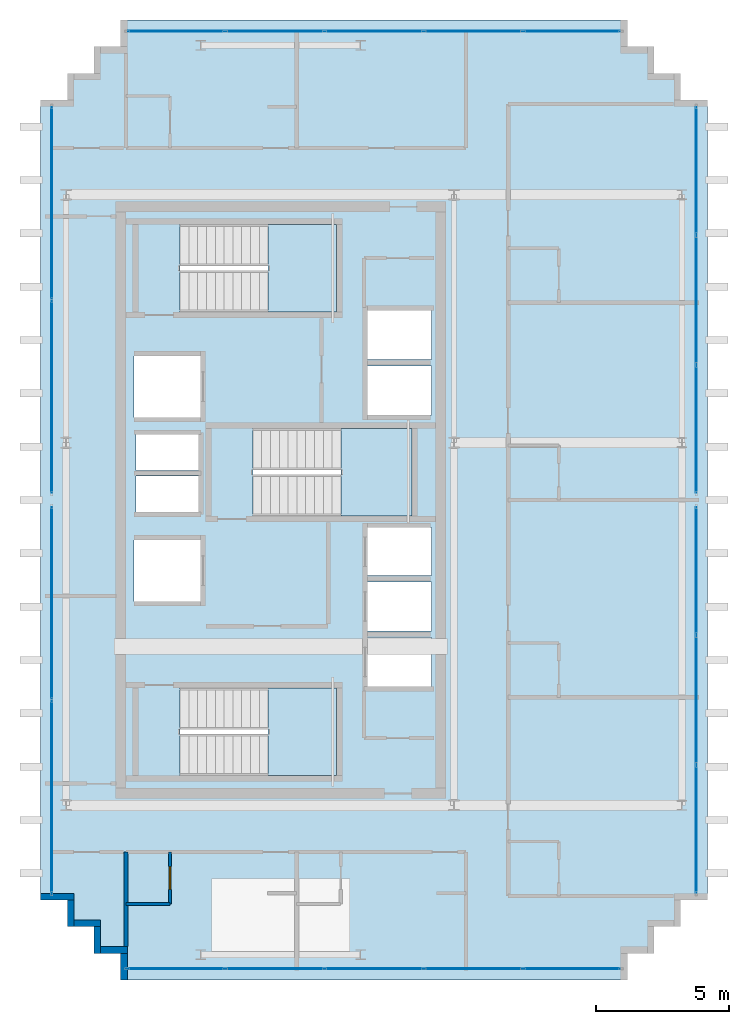
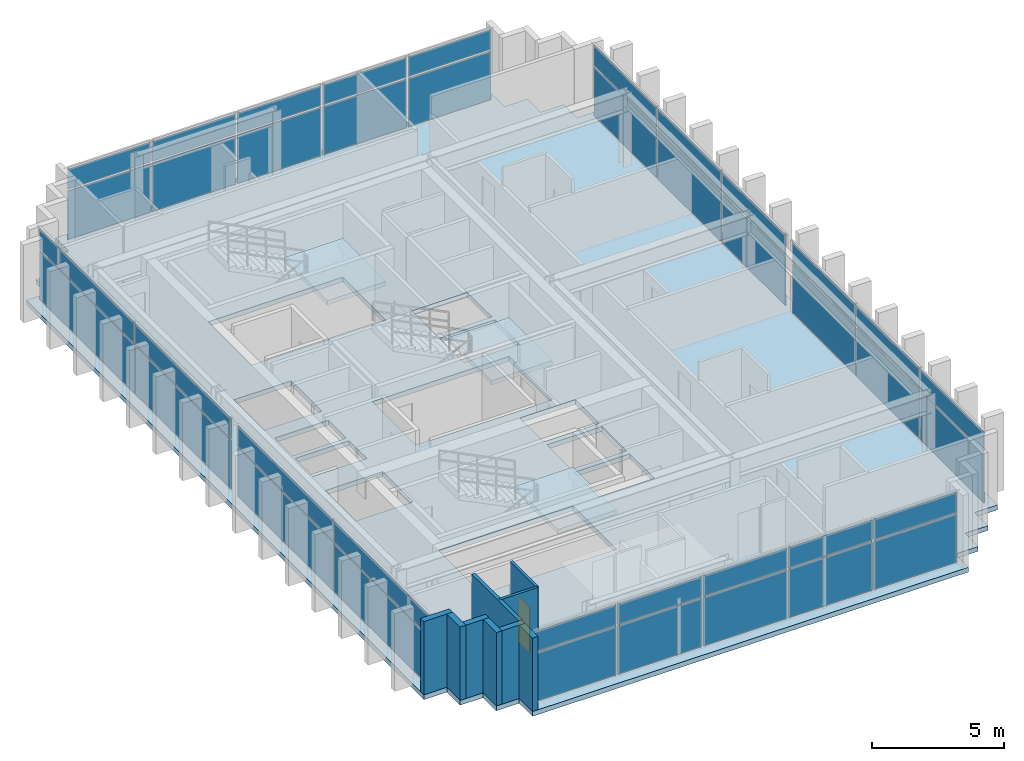
# One storey, part 11 of 15: 40 plates, 9 walls, 4 slabs, 1 door, 1 opening, 9 elements without a shape of their own.
"""IFC4 building model written with IfcOpenShell, lengths in metres."""

from ifc_helpers import new_model, si_unit, direction, frame, frame_2d, origin, origin_2d, place, context, subcontext, project, spatial, polyline, rectangle, outline, extrude, source, transform, mapped, material, layer, layer_set, type_object, element, fill, aggregate, save


model = new_model("IFC4")

# Units and contexts
model_context = context("Model", 3, precision=1e-05, world=origin(), true_north=direction((0.0, 1.0)))
body_context = subcontext(model_context, "Body", "Model", "MODEL_VIEW")
ifc_project = project(units=[si_unit("LENGTHUNIT", "METRE"), si_unit("AREAUNIT", "SQUARE_METRE"), si_unit("VOLUMEUNIT", "CUBIC_METRE"), si_unit("PLANEANGLEUNIT", "RADIAN"), si_unit("MASSUNIT", "GRAM", prefix="KILO")], contexts=[model_context])

# Site, building, storey
site_placement = place(None, origin())
site = spatial("IfcSite", under=ifc_project, at=site_placement, CompositionType="ELEMENT")
building_placement = place(site_placement, origin())
building = spatial("IfcBuilding", under=site, at=building_placement, Name="Ocotamira Hotel", CompositionType="ELEMENT")
storey_placement = place(building_placement, frame((0.0, 0.0, 290.39990234375)))
storey = spatial("IfcBuildingStorey", under=building, at=storey_placement, Name="L74", CompositionType="ELEMENT", Elevation=290.39990234375)

# Stair, slab
ifc_material_1 = material(Name="Concrete C40/50", Category="concrete")
stair_type = type_object("IfcStairType", Name="ST-CORE-1560", PredefinedType="HALF_TURN_STAIR", material=ifc_material_1)
stair_1_placement = place(storey_placement, origin())
stair_1 = element("IfcStair", 1, at=stair_1_placement, inside=storey, type_object=stair_type, Name="L74 Exit Stair ST-1", PredefinedType="HALF_TURN_STAIR")
ifc_layer_1 = layer(ifc_material_1, 0.199951171875)
ifc_layer_set_1 = layer_set([ifc_layer_1], Name="Concrete C40/50")
slab_type_1 = type_object("IfcSlabType", Name="SLB-LAND-200", PredefinedType="LANDING", material=ifc_layer_set_1)
slab_1_placement = place(storey_placement, frame((0.0, 0.0, 1.60009765625)))
slab_1 = element("IfcSlab", 2, at=slab_1_placement, type_object=slab_type_1, Name="ST-1 landing 1", PredefinedType="LANDING", context=body_context, shape_type="SweptSolid", body=[
    extrude(outline(polyline([(16.530029296875, 15.669921875), (19.090087890625, 15.669921875), (19.090087890625, 18.949951171875), (16.530029296875, 18.949951171875), (16.530029296875, 15.669921875)])), origin(), (0.0, 0.0, 1.0), 0.199951171875),
])
aggregate(stair_1, [slab_1])

stair_2_placement = place(storey_placement, origin())
stair_2 = element("IfcStair", 3, at=stair_2_placement, inside=storey, type_object=stair_type, Name="L74 Exit Stair ST-2", PredefinedType="HALF_TURN_STAIR")
slab_2_placement = place(storey_placement, frame((0.0, 0.0, 1.60009765625)))
slab_2 = element("IfcSlab", 4, at=slab_2_placement, type_object=slab_type_1, Name="ST-2 landing 1", PredefinedType="LANDING", context=body_context, shape_type="SweptSolid", body=[
    extrude(outline(polyline([(16.530029296875, 33.050048828125), (19.090087890625, 33.050048828125), (19.090087890625, 36.330078125), (16.530029296875, 36.330078125), (16.530029296875, 33.050048828125)])), origin(), (0.0, 0.0, 1.0), 0.199951171875),
])
aggregate(stair_2, [slab_2])

stair_3_placement = place(storey_placement, origin())
stair_3 = element("IfcStair", 5, at=stair_3_placement, inside=storey, type_object=stair_type, Name="L74 Exit Stair ST-3", PredefinedType="HALF_TURN_STAIR")
slab_3_placement = place(storey_placement, frame((0.0, 0.0, 1.60009765625)))
slab_3 = element("IfcSlab", 6, at=slab_3_placement, type_object=slab_type_1, Name="ST-3 landing 1", PredefinedType="LANDING", context=body_context, shape_type="SweptSolid", body=[
    extrude(outline(polyline([(19.260009765625, 25.39990234375), (21.919921875, 25.39990234375), (21.919921875, 28.679931640625), (19.260009765625, 28.679931640625), (19.260009765625, 25.39990234375)])), origin(), (0.0, 0.0, 1.0), 0.199951171875),
])
aggregate(stair_3, [slab_3])

# Slab
ifc_layer_2 = layer(ifc_material_1, 0.219970703125)
ifc_layer_set_2 = layer_set([ifc_layer_2], Name="Concrete C40/50")
slab_type_2 = type_object("IfcSlabType", Name="SLB-UPP-220", PredefinedType="FLOOR", material=ifc_layer_set_2)
slab_4_placement = place(storey_placement, frame((0.0, 0.0, -0.219970703125)))
element("IfcSlab", 7, at=slab_4_placement, inside=storey, type_object=slab_type_2, Name="L74 Structural Floor Slab", PredefinedType="FLOOR", context=body_context, shape_type="SweptSolid", body=[
    extrude(outline(polyline([(11.0, 8.0), (30.0, 8.0), (30.0, 9.0), (31.0, 9.0), (31.0, 10.0), (32.0, 10.0), (32.0, 11.0), (33.0, 11.0), (33.0, 41.0), (32.0, 41.0), (32.0, 42.0), (31.0, 42.0), (31.0, 43.0), (30.0, 43.0), (30.0, 44.0), (11.0, 44.0), (11.0, 43.0), (10.0, 43.0), (10.0, 42.0), (9.0, 42.0), (9.0, 41.0), (8.0, 41.0), (8.0, 11.0), (9.0, 11.0), (9.0, 10.0), (10.0, 10.0), (10.0, 9.0), (11.0, 9.0), (11.0, 8.0)]), holes=[polyline([(13.22998046875, 15.669921875), (19.090087890625, 15.669921875), (19.090087890625, 18.949951171875), (13.22998046875, 18.949951171875), (13.22998046875, 15.669921875)]), polyline([(13.22998046875, 33.050048828125), (19.090087890625, 33.050048828125), (19.090087890625, 36.330078125), (13.22998046875, 36.330078125), (13.22998046875, 33.050048828125)]), polyline([(15.9599609375, 25.39990234375), (21.919921875, 25.39990234375), (21.919921875, 28.679931640625), (15.9599609375, 28.679931640625), (15.9599609375, 25.39990234375)]), polyline([(20.25, 19.0), (22.659912109375, 19.0), (22.659912109375, 20.85009765625), (20.25, 20.85009765625), (20.25, 19.0)]), polyline([(20.25, 21.080078125), (22.659912109375, 21.080078125), (22.659912109375, 22.929931640625), (20.25, 22.929931640625), (20.25, 21.080078125)]), polyline([(20.25, 23.159912109375), (22.659912109375, 23.159912109375), (22.659912109375, 24.9599609375), (20.25, 24.9599609375), (20.25, 23.159912109375)]), polyline([(20.25, 29.179931640625), (22.659912109375, 29.179931640625), (22.659912109375, 31.030029296875), (20.25, 31.030029296875), (20.25, 29.179931640625)]), polyline([(20.25, 31.260009765625), (22.659912109375, 31.260009765625), (22.659912109375, 33.110107421875), (20.25, 33.110107421875), (20.25, 31.260009765625)]), polyline([(11.5, 22.199951171875), (14.0, 22.199951171875), (14.0, 24.5), (11.5, 24.5), (11.5, 22.199951171875)]), polyline([(11.5, 29.10009765625), (14.0, 29.10009765625), (14.0, 31.39990234375), (11.5, 31.39990234375), (11.5, 29.10009765625)]), polyline([(11.580078125, 25.550048828125), (13.919921875, 25.550048828125), (13.919921875, 26.89990234375), (11.580078125, 26.89990234375), (11.580078125, 25.550048828125)]), polyline([(11.580078125, 27.10009765625), (13.919921875, 27.10009765625), (13.919921875, 28.449951171875), (11.580078125, 28.449951171875), (11.580078125, 27.10009765625)])]), origin(), (0.0, 0.0, 1.0), 0.219970703125),
])

# Curtain wall, plates
ifc_material_2 = material(Name="Anodised pale-metal aluminium and solar glass", Category="aluminium")
ifc_layer_3 = layer(ifc_material_2, 0.2099609375)
ifc_layer_set_3 = layer_set([ifc_layer_3], Name="Anodised pale-metal aluminium and solar glass")
curtain_wall_type = type_object("IfcCurtainWallType", Name="CW-SYS7-PEAK", PredefinedType="NOTDEFINED", material=ifc_layer_set_3)
curtain_wall_1_placement = place(storey_placement, origin())
curtain_wall_1 = element("IfcCurtainWall", 8, at=curtain_wall_1_placement, inside=storey, type_object=curtain_wall_type, Name="L74 Curtain Wall CW-7 CW-L74-W1", PredefinedType="NOTDEFINED")
ifc_material_3 = material(Name="Double-silver low-E insulated solar glass", Category="glass")
ifc_layer_4 = layer(ifc_material_3, 0.031982421875)
ifc_layer_set_4 = layer_set([ifc_layer_4], Name="Double-silver low-E insulated solar glass")
plate_type = type_object("IfcPlateType", Name="CWP-VISION-32", PredefinedType="CURTAIN_PANEL", material=ifc_layer_set_4)
shared_shape_1 = source(origin(), body_context, "Body", "SweptSolid", [
    extrude(rectangle(XDim=7.179931640625, YDim=0.031982421875, at=origin_2d()), origin(), (0.0, 0.0, 1.0), 2.237548828125),
])
plate_1_placement = place(storey_placement, frame((8.419921875, 14.8701171875, 0.0751953125), z_axis=(0.0, 0.0, 1.0), x_axis=(0.0, 1.0, 0.0)))
plate_1 = element("IfcPlate", 9, at=plate_1_placement, type_object=plate_type, Name="CW-7 panel 1.1", PredefinedType="CURTAIN_PANEL", context=body_context, shape_type="MappedRepresentation", body=[
    mapped(shared_shape_1, transform((0.0, 0.0, 0.0), scale=1.0)),
])
plate_2_placement = place(storey_placement, frame((8.419921875, 22.1298828125, 0.0751953125), z_axis=(0.0, 0.0, 1.0), x_axis=(0.0, 1.0, 0.0)))
plate_2 = element("IfcPlate", 10, at=plate_2_placement, type_object=plate_type, Name="CW-7 panel 2.1", PredefinedType="CURTAIN_PANEL", context=body_context, shape_type="MappedRepresentation", body=[
    mapped(shared_shape_1, transform((0.0, 0.0, 0.0), scale=1.0)),
])

curtain_wall_2_placement = place(storey_placement, origin())
curtain_wall_2 = element("IfcCurtainWall", 11, at=curtain_wall_2_placement, inside=storey, type_object=curtain_wall_type, Name="L74 Curtain Wall CW-7 CW-L74-W2", PredefinedType="NOTDEFINED")
plate_3_placement = place(storey_placement, frame((8.419921875, 29.8701171875, 0.0751953125), z_axis=(0.0, 0.0, 1.0), x_axis=(0.0, 1.0, 0.0)))
plate_3 = element("IfcPlate", 12, at=plate_3_placement, type_object=plate_type, Name="CW-7 panel 1.1", PredefinedType="CURTAIN_PANEL", context=body_context, shape_type="MappedRepresentation", body=[
    mapped(shared_shape_1, transform((0.0, 0.0, 0.0), scale=1.0)),
])
plate_4_placement = place(storey_placement, frame((8.419921875, 37.1298828125, 0.0751953125), z_axis=(0.0, 0.0, 1.0), x_axis=(0.0, 1.0, 0.0)))
plate_4 = element("IfcPlate", 13, at=plate_4_placement, type_object=plate_type, Name="CW-7 panel 2.1", PredefinedType="CURTAIN_PANEL", context=body_context, shape_type="MappedRepresentation", body=[
    mapped(shared_shape_1, transform((0.0, 0.0, 0.0), scale=1.0)),
])

# Plate
shared_shape_2 = source(origin(), body_context, "Body", "SweptSolid", [
    extrude(rectangle(XDim=7.179931640625, YDim=0.031982421875, at=origin_2d()), origin(), (0.0, 0.0, 1.0), 0.91748046875),
])
plate_5_placement = place(storey_placement, frame((8.419921875, 14.8701171875, 2.3876953125), z_axis=(0.0, 0.0, 1.0), x_axis=(0.0, 1.0, 0.0)))
plate_5 = element("IfcPlate", 14, at=plate_5_placement, type_object=plate_type, Name="CW-7 panel 1.2", PredefinedType="CURTAIN_PANEL", context=body_context, shape_type="MappedRepresentation", body=[
    mapped(shared_shape_2, transform((0.0, 0.0, 0.0), scale=1.0)),
])

plate_6_placement = place(storey_placement, frame((8.419921875, 22.1298828125, 2.3876953125), z_axis=(0.0, 0.0, 1.0), x_axis=(0.0, 1.0, 0.0)))
plate_6 = element("IfcPlate", 15, at=plate_6_placement, type_object=plate_type, Name="CW-7 panel 2.2", PredefinedType="CURTAIN_PANEL", context=body_context, shape_type="MappedRepresentation", body=[
    mapped(shared_shape_2, transform((0.0, 0.0, 0.0), scale=1.0)),
])

aggregate(curtain_wall_1, [plate_1, plate_5, plate_2, plate_6])

plate_7_placement = place(storey_placement, frame((8.419921875, 29.8701171875, 2.3876953125), z_axis=(0.0, 0.0, 1.0), x_axis=(0.0, 1.0, 0.0)))
plate_7 = element("IfcPlate", 16, at=plate_7_placement, type_object=plate_type, Name="CW-7 panel 1.2", PredefinedType="CURTAIN_PANEL", context=body_context, shape_type="MappedRepresentation", body=[
    mapped(shared_shape_2, transform((0.0, 0.0, 0.0), scale=1.0)),
])

plate_8_placement = place(storey_placement, frame((8.419921875, 37.1298828125, 2.3876953125), z_axis=(0.0, 0.0, 1.0), x_axis=(0.0, 1.0, 0.0)))
plate_8 = element("IfcPlate", 17, at=plate_8_placement, type_object=plate_type, Name="CW-7 panel 2.2", PredefinedType="CURTAIN_PANEL", context=body_context, shape_type="MappedRepresentation", body=[
    mapped(shared_shape_2, transform((0.0, 0.0, 0.0), scale=1.0)),
])

aggregate(curtain_wall_2, [plate_3, plate_7, plate_4, plate_8])

# Curtain wall, plates
curtain_wall_3_placement = place(storey_placement, origin())
curtain_wall_3 = element("IfcCurtainWall", 18, at=curtain_wall_3_placement, inside=storey, type_object=curtain_wall_type, Name="L74 Curtain Wall CW-7 CW-L74-S1", PredefinedType="NOTDEFINED")
shared_shape_3 = source(origin(), body_context, "Body", "SweptSolid", [
    extrude(rectangle(XDim=3.60009765625, YDim=0.031982421875, at=origin_2d()), origin(), (0.0, 0.0, 1.0), 2.237548828125),
])
plate_9_placement = place(storey_placement, frame((13.080078125, 8.419921875, 0.0751953125), z_axis=(0.0, 0.0, 1.0), x_axis=(1.0, 0.0, 0.0)))
plate_9 = element("IfcPlate", 19, at=plate_9_placement, type_object=plate_type, Name="CW-7 panel 1.1", PredefinedType="CURTAIN_PANEL", context=body_context, shape_type="MappedRepresentation", body=[
    mapped(shared_shape_3, transform((0.0, 0.0, 0.0), scale=1.0)),
])
plate_10_placement = place(storey_placement, frame((27.919921875, 8.419921875, 0.0751953125), z_axis=(0.0, 0.0, 1.0), x_axis=(1.0, 0.0, 0.0)))
plate_10 = element("IfcPlate", 20, at=plate_10_placement, type_object=plate_type, Name="CW-7 panel 5.1", PredefinedType="CURTAIN_PANEL", context=body_context, shape_type="MappedRepresentation", body=[
    mapped(shared_shape_3, transform((0.0, 0.0, 0.0), scale=1.0)),
])

curtain_wall_4_placement = place(storey_placement, origin())
curtain_wall_4 = element("IfcCurtainWall", 21, at=curtain_wall_4_placement, inside=storey, type_object=curtain_wall_type, Name="L74 Curtain Wall CW-7 CW-L74-N", PredefinedType="NOTDEFINED")
plate_11_placement = place(storey_placement, frame((13.080078125, 43.580078125, 0.0751953125), z_axis=(0.0, 0.0, 1.0), x_axis=(1.0, 0.0, 0.0)))
plate_11 = element("IfcPlate", 22, at=plate_11_placement, type_object=plate_type, Name="CW-7 panel 1.1", PredefinedType="CURTAIN_PANEL", context=body_context, shape_type="MappedRepresentation", body=[
    mapped(shared_shape_3, transform((0.0, 0.0, 0.0), scale=1.0)),
])
plate_12_placement = place(storey_placement, frame((27.919921875, 43.580078125, 0.0751953125), z_axis=(0.0, 0.0, 1.0), x_axis=(1.0, 0.0, 0.0)))
plate_12 = element("IfcPlate", 23, at=plate_12_placement, type_object=plate_type, Name="CW-7 panel 5.1", PredefinedType="CURTAIN_PANEL", context=body_context, shape_type="MappedRepresentation", body=[
    mapped(shared_shape_3, transform((0.0, 0.0, 0.0), scale=1.0)),
])

# Plate
shared_shape_4 = source(origin(), body_context, "Body", "SweptSolid", [
    extrude(rectangle(XDim=3.60009765625, YDim=0.031982421875, at=origin_2d()), origin(), (0.0, 0.0, 1.0), 0.91748046875),
])
plate_13_placement = place(storey_placement, frame((13.080078125, 8.419921875, 2.3876953125), z_axis=(0.0, 0.0, 1.0), x_axis=(1.0, 0.0, 0.0)))
plate_13 = element("IfcPlate", 24, at=plate_13_placement, type_object=plate_type, Name="CW-7 panel 1.2", PredefinedType="CURTAIN_PANEL", context=body_context, shape_type="MappedRepresentation", body=[
    mapped(shared_shape_4, transform((0.0, 0.0, 0.0), scale=1.0)),
])

plate_14_placement = place(storey_placement, frame((27.919921875, 8.419921875, 2.3876953125), z_axis=(0.0, 0.0, 1.0), x_axis=(1.0, 0.0, 0.0)))
plate_14 = element("IfcPlate", 25, at=plate_14_placement, type_object=plate_type, Name="CW-7 panel 5.2", PredefinedType="CURTAIN_PANEL", context=body_context, shape_type="MappedRepresentation", body=[
    mapped(shared_shape_4, transform((0.0, 0.0, 0.0), scale=1.0)),
])

plate_15_placement = place(storey_placement, frame((13.080078125, 43.580078125, 2.3876953125), z_axis=(0.0, 0.0, 1.0), x_axis=(1.0, 0.0, 0.0)))
plate_15 = element("IfcPlate", 26, at=plate_15_placement, type_object=plate_type, Name="CW-7 panel 1.2", PredefinedType="CURTAIN_PANEL", context=body_context, shape_type="MappedRepresentation", body=[
    mapped(shared_shape_4, transform((0.0, 0.0, 0.0), scale=1.0)),
])

plate_16_placement = place(storey_placement, frame((27.919921875, 43.580078125, 2.3876953125), z_axis=(0.0, 0.0, 1.0), x_axis=(1.0, 0.0, 0.0)))
plate_16 = element("IfcPlate", 27, at=plate_16_placement, type_object=plate_type, Name="CW-7 panel 5.2", PredefinedType="CURTAIN_PANEL", context=body_context, shape_type="MappedRepresentation", body=[
    mapped(shared_shape_4, transform((0.0, 0.0, 0.0), scale=1.0)),
])

shared_shape_5 = source(origin(), body_context, "Body", "SweptSolid", [
    extrude(rectangle(XDim=3.639892578125, YDim=0.031982421875, at=origin_2d()), origin(), (0.0, 0.0, 1.0), 2.237548828125),
])
plate_17_placement = place(storey_placement, frame((16.780029296875, 8.419921875, 0.0751953125), z_axis=(0.0, 0.0, 1.0), x_axis=(1.0, 0.0, 0.0)))
plate_17 = element("IfcPlate", 28, at=plate_17_placement, type_object=plate_type, Name="CW-7 panel 2.1", PredefinedType="CURTAIN_PANEL", context=body_context, shape_type="MappedRepresentation", body=[
    mapped(shared_shape_5, transform((0.0, 0.0, 0.0), scale=1.0)),
])

plate_18_placement = place(storey_placement, frame((20.5, 8.419921875, 0.0751953125), z_axis=(0.0, 0.0, 1.0), x_axis=(1.0, 0.0, 0.0)))
plate_18 = element("IfcPlate", 29, at=plate_18_placement, type_object=plate_type, Name="CW-7 panel 3.1", PredefinedType="CURTAIN_PANEL", context=body_context, shape_type="MappedRepresentation", body=[
    mapped(shared_shape_5, transform((0.0, 0.0, 0.0), scale=1.0)),
])

plate_19_placement = place(storey_placement, frame((24.219970703125, 8.419921875, 0.0751953125), z_axis=(0.0, 0.0, 1.0), x_axis=(1.0, 0.0, 0.0)))
plate_19 = element("IfcPlate", 30, at=plate_19_placement, type_object=plate_type, Name="CW-7 panel 4.1", PredefinedType="CURTAIN_PANEL", context=body_context, shape_type="MappedRepresentation", body=[
    mapped(shared_shape_5, transform((0.0, 0.0, 0.0), scale=1.0)),
])

plate_20_placement = place(storey_placement, frame((16.780029296875, 43.580078125, 0.0751953125), z_axis=(0.0, 0.0, 1.0), x_axis=(1.0, 0.0, 0.0)))
plate_20 = element("IfcPlate", 31, at=plate_20_placement, type_object=plate_type, Name="CW-7 panel 2.1", PredefinedType="CURTAIN_PANEL", context=body_context, shape_type="MappedRepresentation", body=[
    mapped(shared_shape_5, transform((0.0, 0.0, 0.0), scale=1.0)),
])

plate_21_placement = place(storey_placement, frame((20.5, 43.580078125, 0.0751953125), z_axis=(0.0, 0.0, 1.0), x_axis=(1.0, 0.0, 0.0)))
plate_21 = element("IfcPlate", 32, at=plate_21_placement, type_object=plate_type, Name="CW-7 panel 3.1", PredefinedType="CURTAIN_PANEL", context=body_context, shape_type="MappedRepresentation", body=[
    mapped(shared_shape_5, transform((0.0, 0.0, 0.0), scale=1.0)),
])

plate_22_placement = place(storey_placement, frame((24.219970703125, 43.580078125, 0.0751953125), z_axis=(0.0, 0.0, 1.0), x_axis=(1.0, 0.0, 0.0)))
plate_22 = element("IfcPlate", 33, at=plate_22_placement, type_object=plate_type, Name="CW-7 panel 4.1", PredefinedType="CURTAIN_PANEL", context=body_context, shape_type="MappedRepresentation", body=[
    mapped(shared_shape_5, transform((0.0, 0.0, 0.0), scale=1.0)),
])

shared_shape_6 = source(origin(), body_context, "Body", "SweptSolid", [
    extrude(rectangle(XDim=3.639892578125, YDim=0.031982421875, at=origin_2d()), origin(), (0.0, 0.0, 1.0), 0.91748046875),
])
plate_23_placement = place(storey_placement, frame((16.780029296875, 8.419921875, 2.3876953125), z_axis=(0.0, 0.0, 1.0), x_axis=(1.0, 0.0, 0.0)))
plate_23 = element("IfcPlate", 34, at=plate_23_placement, type_object=plate_type, Name="CW-7 panel 2.2", PredefinedType="CURTAIN_PANEL", context=body_context, shape_type="MappedRepresentation", body=[
    mapped(shared_shape_6, transform((0.0, 0.0, 0.0), scale=1.0)),
])

plate_24_placement = place(storey_placement, frame((20.5, 8.419921875, 2.3876953125), z_axis=(0.0, 0.0, 1.0), x_axis=(1.0, 0.0, 0.0)))
plate_24 = element("IfcPlate", 35, at=plate_24_placement, type_object=plate_type, Name="CW-7 panel 3.2", PredefinedType="CURTAIN_PANEL", context=body_context, shape_type="MappedRepresentation", body=[
    mapped(shared_shape_6, transform((0.0, 0.0, 0.0), scale=1.0)),
])

plate_25_placement = place(storey_placement, frame((24.219970703125, 8.419921875, 2.3876953125), z_axis=(0.0, 0.0, 1.0), x_axis=(1.0, 0.0, 0.0)))
plate_25 = element("IfcPlate", 36, at=plate_25_placement, type_object=plate_type, Name="CW-7 panel 4.2", PredefinedType="CURTAIN_PANEL", context=body_context, shape_type="MappedRepresentation", body=[
    mapped(shared_shape_6, transform((0.0, 0.0, 0.0), scale=1.0)),
])

aggregate(curtain_wall_3, [plate_9, plate_13, plate_17, plate_23, plate_18, plate_24, plate_19, plate_25, plate_10, plate_14])

plate_26_placement = place(storey_placement, frame((16.780029296875, 43.580078125, 2.3876953125), z_axis=(0.0, 0.0, 1.0), x_axis=(1.0, 0.0, 0.0)))
plate_26 = element("IfcPlate", 37, at=plate_26_placement, type_object=plate_type, Name="CW-7 panel 2.2", PredefinedType="CURTAIN_PANEL", context=body_context, shape_type="MappedRepresentation", body=[
    mapped(shared_shape_6, transform((0.0, 0.0, 0.0), scale=1.0)),
])

plate_27_placement = place(storey_placement, frame((20.5, 43.580078125, 2.3876953125), z_axis=(0.0, 0.0, 1.0), x_axis=(1.0, 0.0, 0.0)))
plate_27 = element("IfcPlate", 38, at=plate_27_placement, type_object=plate_type, Name="CW-7 panel 3.2", PredefinedType="CURTAIN_PANEL", context=body_context, shape_type="MappedRepresentation", body=[
    mapped(shared_shape_6, transform((0.0, 0.0, 0.0), scale=1.0)),
])

plate_28_placement = place(storey_placement, frame((24.219970703125, 43.580078125, 2.3876953125), z_axis=(0.0, 0.0, 1.0), x_axis=(1.0, 0.0, 0.0)))
plate_28 = element("IfcPlate", 39, at=plate_28_placement, type_object=plate_type, Name="CW-7 panel 4.2", PredefinedType="CURTAIN_PANEL", context=body_context, shape_type="MappedRepresentation", body=[
    mapped(shared_shape_6, transform((0.0, 0.0, 0.0), scale=1.0)),
])

aggregate(curtain_wall_4, [plate_11, plate_15, plate_20, plate_26, plate_21, plate_27, plate_22, plate_28, plate_12, plate_16])

# Curtain wall, plates
curtain_wall_5_placement = place(storey_placement, origin())
curtain_wall_5 = element("IfcCurtainWall", 40, at=curtain_wall_5_placement, inside=storey, type_object=curtain_wall_type, Name="L74 Curtain Wall CW-7 CW-L74-E1", PredefinedType="NOTDEFINED")
shared_shape_7 = source(origin(), body_context, "Body", "SweptSolid", [
    extrude(rectangle(XDim=4.74658203125, YDim=0.031982421875, at=origin_2d()), origin(), (0.0, 0.0, 1.0), 2.237548828125),
])
plate_29_placement = place(storey_placement, frame((32.580078125, 13.6533203125, 0.0751953125), z_axis=(0.0, 0.0, 1.0), x_axis=(0.0, 1.0, 0.0)))
plate_29 = element("IfcPlate", 41, at=plate_29_placement, type_object=plate_type, Name="CW-7 panel 1.1", PredefinedType="CURTAIN_PANEL", context=body_context, shape_type="MappedRepresentation", body=[
    mapped(shared_shape_7, transform((0.0, 0.0, 0.0), scale=1.0)),
])
plate_30_placement = place(storey_placement, frame((32.580078125, 23.3466796875, 0.0751953125), z_axis=(0.0, 0.0, 1.0), x_axis=(0.0, 1.0, 0.0)))
plate_30 = element("IfcPlate", 42, at=plate_30_placement, type_object=plate_type, Name="CW-7 panel 3.1", PredefinedType="CURTAIN_PANEL", context=body_context, shape_type="MappedRepresentation", body=[
    mapped(shared_shape_7, transform((0.0, 0.0, 0.0), scale=1.0)),
])

curtain_wall_6_placement = place(storey_placement, origin())
curtain_wall_6 = element("IfcCurtainWall", 43, at=curtain_wall_6_placement, inside=storey, type_object=curtain_wall_type, Name="L74 Curtain Wall CW-7 CW-L74-E2", PredefinedType="NOTDEFINED")
plate_31_placement = place(storey_placement, frame((32.580078125, 28.6533203125, 0.0751953125), z_axis=(0.0, 0.0, 1.0), x_axis=(0.0, 1.0, 0.0)))
plate_31 = element("IfcPlate", 44, at=plate_31_placement, type_object=plate_type, Name="CW-7 panel 1.1", PredefinedType="CURTAIN_PANEL", context=body_context, shape_type="MappedRepresentation", body=[
    mapped(shared_shape_7, transform((0.0, 0.0, 0.0), scale=1.0)),
])
plate_32_placement = place(storey_placement, frame((32.580078125, 38.3466796875, 0.0751953125), z_axis=(0.0, 0.0, 1.0), x_axis=(0.0, 1.0, 0.0)))
plate_32 = element("IfcPlate", 45, at=plate_32_placement, type_object=plate_type, Name="CW-7 panel 3.1", PredefinedType="CURTAIN_PANEL", context=body_context, shape_type="MappedRepresentation", body=[
    mapped(shared_shape_7, transform((0.0, 0.0, 0.0), scale=1.0)),
])

# Plate
shared_shape_8 = source(origin(), body_context, "Body", "SweptSolid", [
    extrude(rectangle(XDim=4.74658203125, YDim=0.031982421875, at=origin_2d()), origin(), (0.0, 0.0, 1.0), 0.91748046875),
])
plate_33_placement = place(storey_placement, frame((32.580078125, 13.6533203125, 2.3876953125), z_axis=(0.0, 0.0, 1.0), x_axis=(0.0, 1.0, 0.0)))
plate_33 = element("IfcPlate", 46, at=plate_33_placement, type_object=plate_type, Name="CW-7 panel 1.2", PredefinedType="CURTAIN_PANEL", context=body_context, shape_type="MappedRepresentation", body=[
    mapped(shared_shape_8, transform((0.0, 0.0, 0.0), scale=1.0)),
])

plate_34_placement = place(storey_placement, frame((32.580078125, 23.3466796875, 2.3876953125), z_axis=(0.0, 0.0, 1.0), x_axis=(0.0, 1.0, 0.0)))
plate_34 = element("IfcPlate", 47, at=plate_34_placement, type_object=plate_type, Name="CW-7 panel 3.2", PredefinedType="CURTAIN_PANEL", context=body_context, shape_type="MappedRepresentation", body=[
    mapped(shared_shape_8, transform((0.0, 0.0, 0.0), scale=1.0)),
])

plate_35_placement = place(storey_placement, frame((32.580078125, 28.6533203125, 2.3876953125), z_axis=(0.0, 0.0, 1.0), x_axis=(0.0, 1.0, 0.0)))
plate_35 = element("IfcPlate", 48, at=plate_35_placement, type_object=plate_type, Name="CW-7 panel 1.2", PredefinedType="CURTAIN_PANEL", context=body_context, shape_type="MappedRepresentation", body=[
    mapped(shared_shape_8, transform((0.0, 0.0, 0.0), scale=1.0)),
])

plate_36_placement = place(storey_placement, frame((32.580078125, 38.3466796875, 2.3876953125), z_axis=(0.0, 0.0, 1.0), x_axis=(0.0, 1.0, 0.0)))
plate_36 = element("IfcPlate", 49, at=plate_36_placement, type_object=plate_type, Name="CW-7 panel 3.2", PredefinedType="CURTAIN_PANEL", context=body_context, shape_type="MappedRepresentation", body=[
    mapped(shared_shape_8, transform((0.0, 0.0, 0.0), scale=1.0)),
])

shared_shape_9 = source(origin(), body_context, "Body", "SweptSolid", [
    extrude(rectangle(XDim=4.78662109375, YDim=0.031982421875, at=origin_2d()), origin(), (0.0, 0.0, 1.0), 2.237548828125),
])
plate_37_placement = place(storey_placement, frame((32.580078125, 18.5, 0.0751953125), z_axis=(0.0, 0.0, 1.0), x_axis=(0.0, 1.0, 0.0)))
plate_37 = element("IfcPlate", 50, at=plate_37_placement, type_object=plate_type, Name="CW-7 panel 2.1", PredefinedType="CURTAIN_PANEL", context=body_context, shape_type="MappedRepresentation", body=[
    mapped(shared_shape_9, transform((0.0, 0.0, 0.0), scale=1.0)),
])

plate_38_placement = place(storey_placement, frame((32.580078125, 33.5, 0.0751953125), z_axis=(0.0, 0.0, 1.0), x_axis=(0.0, 1.0, 0.0)))
plate_38 = element("IfcPlate", 51, at=plate_38_placement, type_object=plate_type, Name="CW-7 panel 2.1", PredefinedType="CURTAIN_PANEL", context=body_context, shape_type="MappedRepresentation", body=[
    mapped(shared_shape_9, transform((0.0, 0.0, 0.0), scale=1.0)),
])

shared_shape_10 = source(origin(), body_context, "Body", "SweptSolid", [
    extrude(rectangle(XDim=4.78662109375, YDim=0.031982421875, at=origin_2d()), origin(), (0.0, 0.0, 1.0), 0.91748046875),
])
plate_39_placement = place(storey_placement, frame((32.580078125, 18.5, 2.3876953125), z_axis=(0.0, 0.0, 1.0), x_axis=(0.0, 1.0, 0.0)))
plate_39 = element("IfcPlate", 52, at=plate_39_placement, type_object=plate_type, Name="CW-7 panel 2.2", PredefinedType="CURTAIN_PANEL", context=body_context, shape_type="MappedRepresentation", body=[
    mapped(shared_shape_10, transform((0.0, 0.0, 0.0), scale=1.0)),
])

aggregate(curtain_wall_5, [plate_29, plate_33, plate_37, plate_39, plate_30, plate_34])

plate_40_placement = place(storey_placement, frame((32.580078125, 33.5, 2.3876953125), z_axis=(0.0, 0.0, 1.0), x_axis=(0.0, 1.0, 0.0)))
plate_40 = element("IfcPlate", 53, at=plate_40_placement, type_object=plate_type, Name="CW-7 panel 2.2", PredefinedType="CURTAIN_PANEL", context=body_context, shape_type="MappedRepresentation", body=[
    mapped(shared_shape_10, transform((0.0, 0.0, 0.0), scale=1.0)),
])

aggregate(curtain_wall_6, [plate_31, plate_35, plate_38, plate_40, plate_32, plate_36])

# Walls
ifc_material_4 = material(Name="Precast concrete C45/55", Category="concrete")
ifc_layer_5 = layer(ifc_material_4, 0.25)
ifc_layer_set_5 = layer_set([ifc_layer_5], Name="Precast concrete C45/55")
wall_type_1 = type_object("IfcWallType", Name="WL-EXT-SER-250", PredefinedType="SOLIDWALL", material=ifc_layer_set_5)
wall_1_placement = place(storey_placement, frame((8.0, 11.125, 0.0), z_axis=(0.0, 0.0, 1.0), x_axis=(1.0, 0.0, 0.0)))
element("IfcWall", 54, at=wall_1_placement, inside=storey, type_object=wall_type_1, Name="L74 Serrated Corner Wall 19", PredefinedType="SOLIDWALL", context=body_context, shape_type="SweptSolid", body=[
    extrude(rectangle(XDim=1.25, YDim=0.25, at=frame_2d((0.625, 0.0))), origin(), (0.0, 0.0, 1.0), 3.380126953125),
])
for number, where, z_axis, x_axis, name in (
    (55, (9.125, 11.0, 0.0), (0.0, 0.0, 1.0), (0.0, -1.0, 0.0), "L74 Serrated Corner Wall 20"),
    (56, (9.25, 10.125, 0.0), (0.0, 0.0, 1.0), (1.0, 0.0, 0.0), "L74 Serrated Corner Wall 21"),
    (57, (10.125, 10.0, 0.0), (0.0, 0.0, 1.0), (0.0, -1.0, 0.0), "L74 Serrated Corner Wall 22"),
    (58, (10.25, 9.125, 0.0), (0.0, 0.0, 1.0), (1.0, 0.0, 0.0), "L74 Serrated Corner Wall 23"),
    (59, (11.125, 9.0, 0.0), (0.0, 0.0, 1.0), (0.0, -1.0, 0.0), "L74 Serrated Corner Wall 24"),
):
    element("IfcWall", number, at=place(storey_placement, frame(where, z_axis=z_axis, x_axis=x_axis)), inside=storey, type_object=wall_type_1, Name=name, PredefinedType="SOLIDWALL", context=body_context, shape_type="SweptSolid", body=[
        extrude(rectangle(XDim=1.0, YDim=0.25, at=frame_2d((0.5, 0.0))), origin(), (0.0, 0.0, 1.0), 3.380126953125),
    ])

# Wall, opening, door
ifc_material_5 = material(Name="Moisture-resistant en-suite tile and gypsum partition", Category="gypsum")
ifc_layer_6 = layer(ifc_material_5, 0.1201171875)
ifc_layer_set_6 = layer_set([ifc_layer_6], Name="Moisture-resistant en-suite tile and gypsum partition")
wall_type_2 = type_object("IfcWallType", Name="WL-PART-120", PredefinedType="PARTITIONING", material=ifc_layer_set_6)
wall_2_placement = place(storey_placement, frame((12.85009765625, 10.85009765625, 0.0), z_axis=(0.0, 0.0, 1.0), x_axis=(0.0, 1.0, 0.0)))
wall_2 = element("IfcWall", 60, at=wall_2_placement, inside=storey, type_object=wall_type_2, Name="L74 Interior Wall PW-L74-WP1S-BAE1", PredefinedType="PARTITIONING", context=body_context, shape_type="SweptSolid", body=[
    extrude(rectangle(XDim=1.949951171875, YDim=0.1201171875, at=frame_2d((0.97509765625, 0.0))), origin(), (0.0, 0.0, 1.0), 3.380126953125),
])
opening_placement = place(wall_2_placement, frame((0.544921875, 0.0, 0.0)))
opening = element("IfcOpeningElement", 61, at=opening_placement, cuts=wall_2, Name="Opening D-BA1", PredefinedType="OPENING", context=body_context, shape_type="SweptSolid", body=[
    extrude(rectangle(XDim=0.860107421875, YDim=2.10009765625, at=frame_2d((0.43017578125, 1.050048828125))), frame((0.0, 0.070068359375, 0.0), z_axis=(0.0, -1.0, 0.0), x_axis=(1.0, 0.0, 0.0)), (0.0, 0.0, 1.0), 0.14013671875),
])
ifc_material_6 = material(Name="Moisture-sealed en-suite timber door", Category="wood")
door_type = type_object("IfcDoorType", Name="DR-BATH-860", OperationType="NOTDEFINED", PredefinedType="DOOR", material=ifc_material_6)
shared_shape_11 = source(origin(), body_context, "Body", "SweptSolid", [
    extrude(rectangle(XDim=0.860107421875, YDim=2.10009765625, at=frame_2d((0.43017578125, 1.050048828125))), frame((0.0, 0.02490234375, 0.0), z_axis=(0.0, -1.0, 0.0), x_axis=(1.0, 0.0, 0.0)), (0.0, 0.0, 1.0), 0.050048828125),
])
door_placement = place(opening_placement, origin())
door = element("IfcDoor", 62, at=door_placement, inside=storey, type_object=door_type, Name="L74 Door ID-L74-WP1S-BAD1 [ID-L74-WP1S-BAD1]", OperationType="SINGLE_SWING_RIGHT", OverallHeight=2.10009765625, OverallWidth=0.860107421875, PredefinedType="DOOR", context=body_context, shape_type="MappedRepresentation", body=[
    mapped(shared_shape_11, transform((0.0, 0.0, 0.0), scale=1.0)),
])
fill(opening, door)

# Walls
wall_3_placement = place(storey_placement, frame((11.199951171875, 10.85009765625, 0.0), z_axis=(0.0, 0.0, 1.0), x_axis=(1.0, 0.0, 0.0)))
element("IfcWall", 63, at=wall_3_placement, inside=storey, type_object=wall_type_2, Name="L74 Interior Wall PW-L74-WP1S-BAS1", PredefinedType="PARTITIONING", context=body_context, shape_type="SweptSolid", body=[
    extrude(rectangle(XDim=1.650146484375, YDim=0.1201171875, at=frame_2d((0.8251953125, 0.0))), origin(), (0.0, 0.0, 1.0), 3.380126953125),
])
ifc_material_7 = material(Name="Acoustic double-stud hospitality gypsum partition", Category="gypsum")
ifc_layer_7 = layer(ifc_material_7, 0.159912109375)
ifc_layer_set_7 = layer_set([ifc_layer_7], Name="Acoustic double-stud hospitality gypsum partition")
wall_type_3 = type_object("IfcWallType", Name="WL-PART-160", PredefinedType="PARTITIONING", material=ifc_layer_set_7)
wall_4_placement = place(storey_placement, frame((11.199951171875, 9.260009765625, 0.0), z_axis=(0.0, 0.0, 1.0), x_axis=(0.0, 1.0, 0.0)))
element("IfcWall", 64, at=wall_4_placement, inside=storey, type_object=wall_type_3, Name="L74 Interior Wall PW-L74-WP1S-PW0", PredefinedType="PARTITIONING", context=body_context, shape_type="SweptSolid", body=[
    extrude(rectangle(XDim=3.5400390625, YDim=0.159912109375, at=frame_2d((1.77001953125, 0.0))), origin(), (0.0, 0.0, 1.0), 3.380126953125),
])

save(model, "model.ifc")
